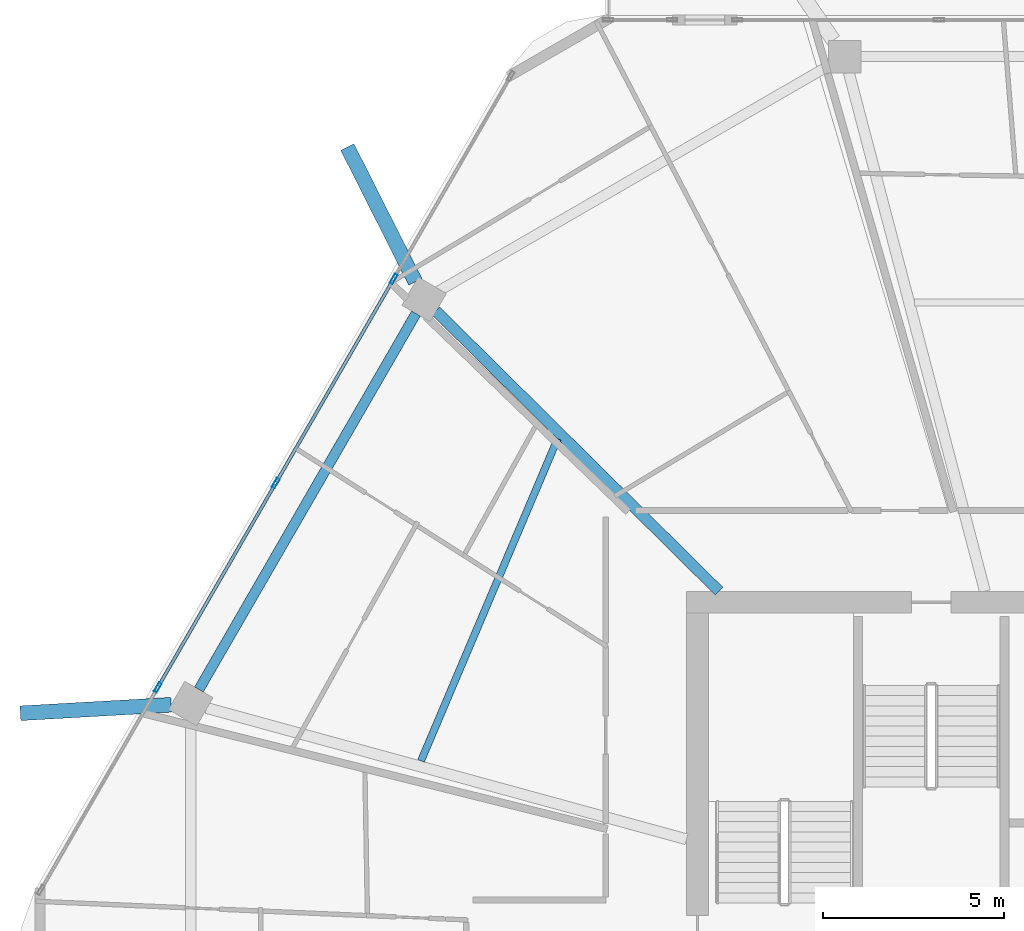
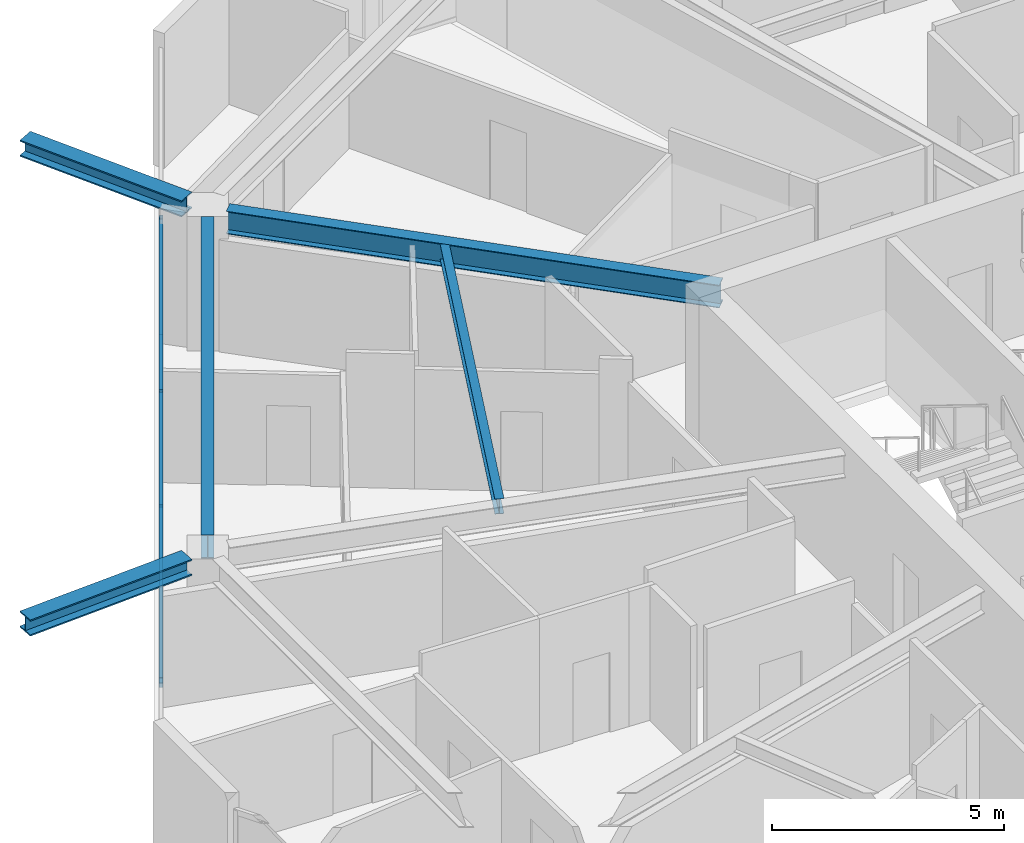
# One storey, part 11 of 26: 7 members, 5 beams, 1 element without a shape of its own.
"""IFC4 building model written with IfcOpenShell, lengths in metres."""

from ifc_helpers import new_model, si_unit, direction, frame, origin, origin_2d, place, context, subcontext, project, spatial, hollow_rectangle, i_section, extrude, material, material_profile, profile_set, type_object, element, aggregate, save


model = new_model("IFC4")

# Units and contexts
model_context = context("Model", 3, precision=1e-05, world=origin(), true_north=direction((0.0, 1.0)))
body_context = subcontext(model_context, "Body", "Model", "MODEL_VIEW")
ifc_project = project(units=[si_unit("LENGTHUNIT", "METRE"), si_unit("AREAUNIT", "SQUARE_METRE"), si_unit("VOLUMEUNIT", "CUBIC_METRE"), si_unit("PLANEANGLEUNIT", "RADIAN"), si_unit("MASSUNIT", "GRAM", prefix="KILO")], contexts=[model_context])

# Site, building, storey
site_placement = place(None, origin())
site = spatial("IfcSite", under=ifc_project, at=site_placement, CompositionType="ELEMENT")
building_placement = place(site_placement, origin())
building = spatial("IfcBuilding", under=site, at=building_placement, Name="Zuhravey Tower", CompositionType="ELEMENT")
storey_placement = place(building_placement, frame((0.0, 0.0, 242.60009765625)))
storey = spatial("IfcBuildingStorey", under=building, at=storey_placement, Name="L61", CompositionType="ELEMENT", Elevation=242.60009765625)

# Curtain wall, members
ifc_material_1 = material(Name="Thermally broken anodised aluminium", Category="aluminium")
curtain_wall_type = type_object("IfcCurtainWallType", Name="Zone 3-4 High-Rise Curtain Wall CW4", PredefinedType="NOTDEFINED", material=ifc_material_1)
curtain_wall_placement = place(storey_placement, origin())
curtain_wall = element("IfcCurtainWall", 1, at=curtain_wall_placement, inside=storey, type_object=curtain_wall_type, Name="L61 CW4 CW-L61-F3-1", PredefinedType="NOTDEFINED")
ifc_material_2 = material(Name="Anodised aluminium", Category="aluminium")
ifc_material_profile_1 = material_profile(ifc_material_2, hollow_rectangle(XDim=0.090087890625, YDim=0.284912109375, WallThickness=0.0048828125, at=origin_2d()), Name="ALU-RHS-90x285x5")
ifc_profile_set_1 = profile_set([ifc_material_profile_1], Name="Anodised aluminium")
member_type_1 = type_object("IfcMemberType", Name="Curtain-Wall Mullion 90x180", PredefinedType="MULLION", material=ifc_profile_set_1)
member_1_placement = place(storey_placement, frame((10.608154296875, 39.147216796875, 0.0), z_axis=(0.0, 0.0, 1.0), x_axis=(-0.866024851021, 0.500000957414, 0.0)))
member_1 = element("IfcMember", 2, at=member_1_placement, type_object=member_type_1, Name="CW4 mullion 2", PredefinedType="MULLION", context=body_context, shape_type="SweptSolid", body=[
    extrude(hollow_rectangle(XDim=0.090087890625, YDim=0.284912109375, WallThickness=0.0048828125, at=origin_2d()), origin(), (0.0, 0.0, 1.0), 3.121826171875),
])
member_2_placement = place(storey_placement, frame((13.861328125, 44.78173828125, 0.0), z_axis=(0.0, 0.0, 1.0), x_axis=(-0.866024851021, 0.500000957414, 0.0)))
member_2 = element("IfcMember", 3, at=member_2_placement, type_object=member_type_1, Name="CW4 mullion 3", PredefinedType="MULLION", context=body_context, shape_type="SweptSolid", body=[
    extrude(hollow_rectangle(XDim=0.090087890625, YDim=0.284912109375, WallThickness=0.0048828125, at=origin_2d()), origin(), (0.0, 0.0, 1.0), 3.121826171875),
])
member_3_placement = place(storey_placement, frame((17.114501953125, 50.41650390625, 0.0), z_axis=(0.0, 0.0, 1.0), x_axis=(-0.866024851021, 0.500000957414, 0.0)))
member_3 = element("IfcMember", 4, at=member_3_placement, type_object=member_type_1, Name="CW4 mullion 4", PredefinedType="MULLION", context=body_context, shape_type="SweptSolid", body=[
    extrude(hollow_rectangle(XDim=0.090087890625, YDim=0.284912109375, WallThickness=0.0048828125, at=origin_2d()), origin(), (0.0, 0.0, 1.0), 3.121826171875),
])
ifc_material_profile_2 = material_profile(ifc_material_2, hollow_rectangle(XDim=0.090087890625, YDim=0.14990234375, WallThickness=0.0048828125, at=origin_2d()), Name="ALU-RHS-90x150x5")
ifc_profile_set_2 = profile_set([ifc_material_profile_2], Name="Anodised aluminium")
member_type_2 = type_object("IfcMemberType", Name="Curtain-Wall Transom 90x150", PredefinedType="USERDEFINED", material=ifc_profile_set_2)
member_4_placement = place(storey_placement, frame((10.630615234375, 39.18603515625, 0.044921875), z_axis=(0.499998017366, 0.866026548456, 0.0), x_axis=(-0.866026548456, 0.499998017366, 0.0)))
member_4 = element("IfcMember", 5, at=member_4_placement, type_object=member_type_2, Name="CW4 transom 2.1", ObjectType="TRANSOM", PredefinedType="USERDEFINED", context=body_context, shape_type="SweptSolid", body=[
    extrude(hollow_rectangle(XDim=0.090087890625, YDim=0.14990234375, WallThickness=0.0048828125, at=origin_2d()), origin(), (0.0, 0.0, 1.0), 6.41650390625),
])
member_5_placement = place(storey_placement, frame((10.630615234375, 39.18603515625, 3.076904296875), z_axis=(0.499998017366, 0.866026548456, 0.0), x_axis=(-0.866026548456, 0.499998017366, 0.0)))
member_5 = element("IfcMember", 6, at=member_5_placement, type_object=member_type_2, Name="CW4 transom 2.2", ObjectType="TRANSOM", PredefinedType="USERDEFINED", context=body_context, shape_type="SweptSolid", body=[
    extrude(hollow_rectangle(XDim=0.090087890625, YDim=0.14990234375, WallThickness=0.0048828125, at=origin_2d()), origin(), (0.0, 0.0, 1.0), 6.41650390625),
])
member_6_placement = place(storey_placement, frame((13.8837890625, 44.82080078125, 0.044921875), z_axis=(0.500014493347, 0.866017035885, 0.0), x_axis=(-0.866017035885, 0.500014493347, 0.0)))
member_6 = element("IfcMember", 7, at=member_6_placement, type_object=member_type_2, Name="CW4 transom 3.1", ObjectType="TRANSOM", PredefinedType="USERDEFINED", context=body_context, shape_type="SweptSolid", body=[
    extrude(hollow_rectangle(XDim=0.090087890625, YDim=0.14990234375, WallThickness=0.0048828125, at=origin_2d()), origin(), (0.0, 0.0, 1.0), 6.416259765625),
])
member_7_placement = place(storey_placement, frame((13.8837890625, 44.82080078125, 3.076904296875), z_axis=(0.500014493347, 0.866017035885, 0.0), x_axis=(-0.866017035885, 0.500014493347, 0.0)))
member_7 = element("IfcMember", 8, at=member_7_placement, type_object=member_type_2, Name="CW4 transom 3.2", ObjectType="TRANSOM", PredefinedType="USERDEFINED", context=body_context, shape_type="SweptSolid", body=[
    extrude(hollow_rectangle(XDim=0.090087890625, YDim=0.14990234375, WallThickness=0.0048828125, at=origin_2d()), origin(), (0.0, 0.0, 1.0), 6.416259765625),
])
aggregate(curtain_wall, [member_1, member_2, member_3, member_4, member_5, member_6, member_7])

# Beams
ifc_material_3 = material(Name="Steel SM460", Category="steel")
ifc_material_profile_3 = material_profile(ifc_material_3, i_section(OverallWidth=0.406982421875, OverallDepth=0.427978515625, WebThickness=0.02001953125, FlangeThickness=0.034912109375, at=origin_2d()), Name="H-428x407x20x35")
ifc_profile_set_3 = profile_set([ifc_material_profile_3], Name="Steel SM460")
beam_type_1 = type_object("IfcBeamType", Name="Exoskeleton Node Tie Beam H428x407", PredefinedType="BEAM", material=ifc_profile_set_3)
for number, where, z_axis, x_axis, name in (
    (9, (17.71240234375, 50.338623046875, 3.3359375), (-0.450375852235, 0.892839062611, 0.0), (-0.892839062611, -0.450375852235, 0.0), "L61 Exoskeleton Node Tie NT1-05"),
    (10, (10.974365234375, 38.668212890625, 3.3359375), (-0.998409075737, -0.056385436824, 0.0), (0.056385436824, -0.998409075737, 0.0), "L61 Exoskeleton Node Tie NT1-06"),
):
    element("IfcBeam", number, at=place(storey_placement, frame(where, z_axis=z_axis, x_axis=x_axis)), inside=storey, type_object=beam_type_1, Name=name, PredefinedType="BEAM", context=body_context, shape_type="SweptSolid", body=[
        extrude(i_section(OverallWidth=0.406982421875, OverallDepth=0.427978515625, WebThickness=0.02001953125, FlangeThickness=0.034912109375, at=origin_2d()), origin(), (0.0, 0.0, 1.0), 4.165283203125),
    ])
ifc_material_4 = material(Name="Steel SM355", Category="steel")
ifc_material_profile_4 = material_profile(ifc_material_4, i_section(OverallWidth=0.280029296875, OverallDepth=0.6201171875, WebThickness=0.011962890625, FlangeThickness=0.02001953125, at=origin_2d()), Name="H-620x280x12x20")
ifc_profile_set_4 = profile_set([ifc_material_profile_4], Name="Steel SM355")
beam_type_2 = type_object("IfcBeamType", Name="Perimeter Ring Beam H620x280", PredefinedType="BEAM", material=ifc_profile_set_4)
beam_1_placement = place(storey_placement, frame((17.72998046875, 49.46240234375, 3.239990234375), z_axis=(-0.500017744717, -0.866015158625, 0.0), x_axis=(0.866015158625, -0.500017744717, 0.0)))
element("IfcBeam", 11, at=beam_1_placement, inside=storey, type_object=beam_type_2, Name="L61 PB3 BM-L61-PB-05", PredefinedType="BEAM", context=body_context, shape_type="SweptSolid", body=[
    extrude(i_section(OverallWidth=0.280029296875, OverallDepth=0.6201171875, WebThickness=0.011962890625, FlangeThickness=0.02001953125, at=origin_2d()), origin(), (0.0, 0.0, 1.0), 11.9755859375),
])
ifc_material_profile_5 = material_profile(ifc_material_4, i_section(OverallWidth=0.300048828125, OverallDepth=0.60009765625, WebThickness=0.011962890625, FlangeThickness=0.02001953125, at=origin_2d()), Name="H-600x300x12x20")
ifc_profile_set_5 = profile_set([ifc_material_profile_5], Name="Steel SM355")
beam_type_3 = type_object("IfcBeamType", Name="Radial Primary Girder H600x300", PredefinedType="BEAM", material=ifc_profile_set_5)
beam_2_placement = place(storey_placement, frame((26.09326171875, 41.802978515625, 3.25), z_axis=(-0.710816516282, 0.703377480576, 0.0), x_axis=(-0.703377480576, -0.710816516282, 0.0)))
element("IfcBeam", 12, at=beam_2_placement, inside=storey, type_object=beam_type_3, Name="L61 RG3 BM-L61-RAD-05", PredefinedType="BEAM", context=body_context, shape_type="SweptSolid", body=[
    extrude(i_section(OverallWidth=0.300048828125, OverallDepth=0.60009765625, WebThickness=0.011962890625, FlangeThickness=0.02001953125, at=origin_2d()), origin(), (0.0, 0.0, 1.0), 10.994384765625),
])
ifc_material_profile_6 = material_profile(ifc_material_4, i_section(OverallWidth=0.199951171875, OverallDepth=0.39990234375, WebThickness=0.008056640625, FlangeThickness=0.012939453125, at=origin_2d()), Name="H-400x200x8x13")
ifc_profile_set_6 = profile_set([ifc_material_profile_6], Name="Steel SM355")
beam_type_4 = type_object("IfcBeamType", Name="Secondary Floor Joist H400x200", PredefinedType="JOIST", material=ifc_profile_set_6)
beam_3_placement = place(storey_placement, frame((21.63916015625, 46.009033203125, 3.349853515625), z_axis=(-0.390413493754, -0.920639616731, 0.0), x_axis=(0.920639616731, -0.390413493754, 0.0)))
element("IfcBeam", 13, at=beam_3_placement, inside=storey, type_object=beam_type_4, Name="L61 SJ2 BM-L61-SJ-05-1", PredefinedType="JOIST", context=body_context, shape_type="SweptSolid", body=[
    extrude(i_section(OverallWidth=0.199951171875, OverallDepth=0.39990234375, WebThickness=0.008056640625, FlangeThickness=0.012939453125, at=origin_2d()), origin(), (0.0, 0.0, 1.0), 9.656494140625),
])

save(model, "model.ifc")
